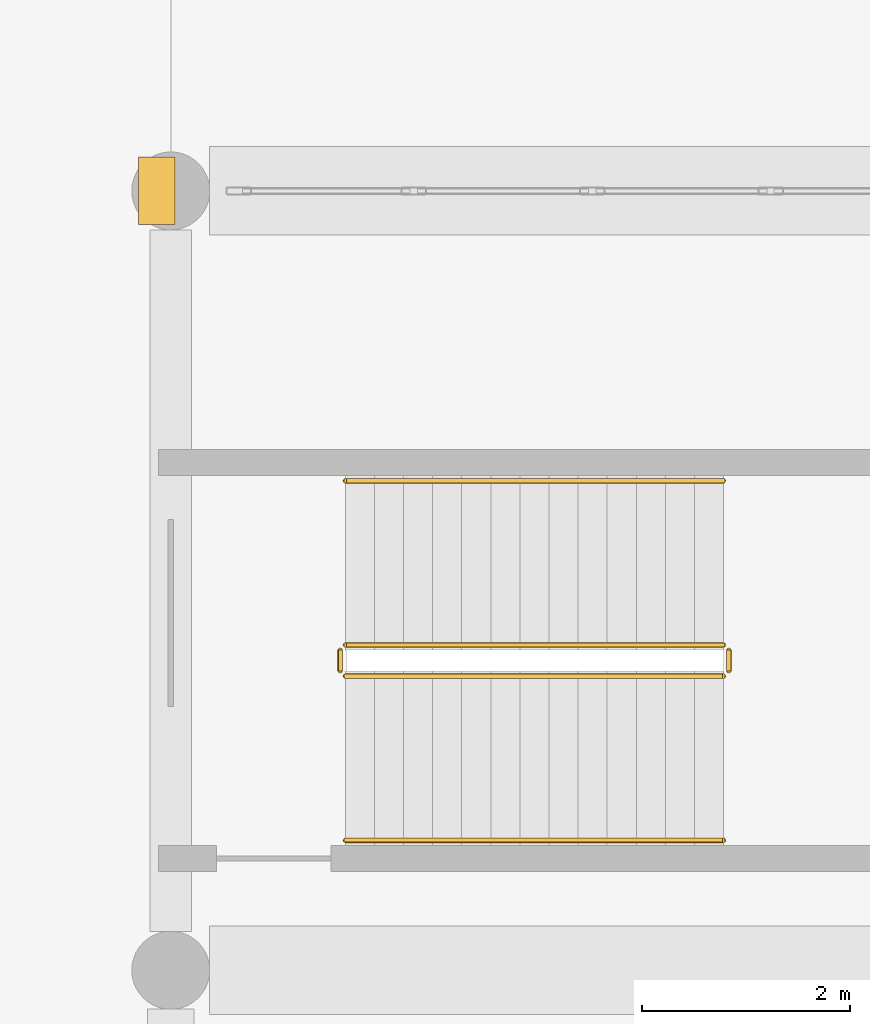
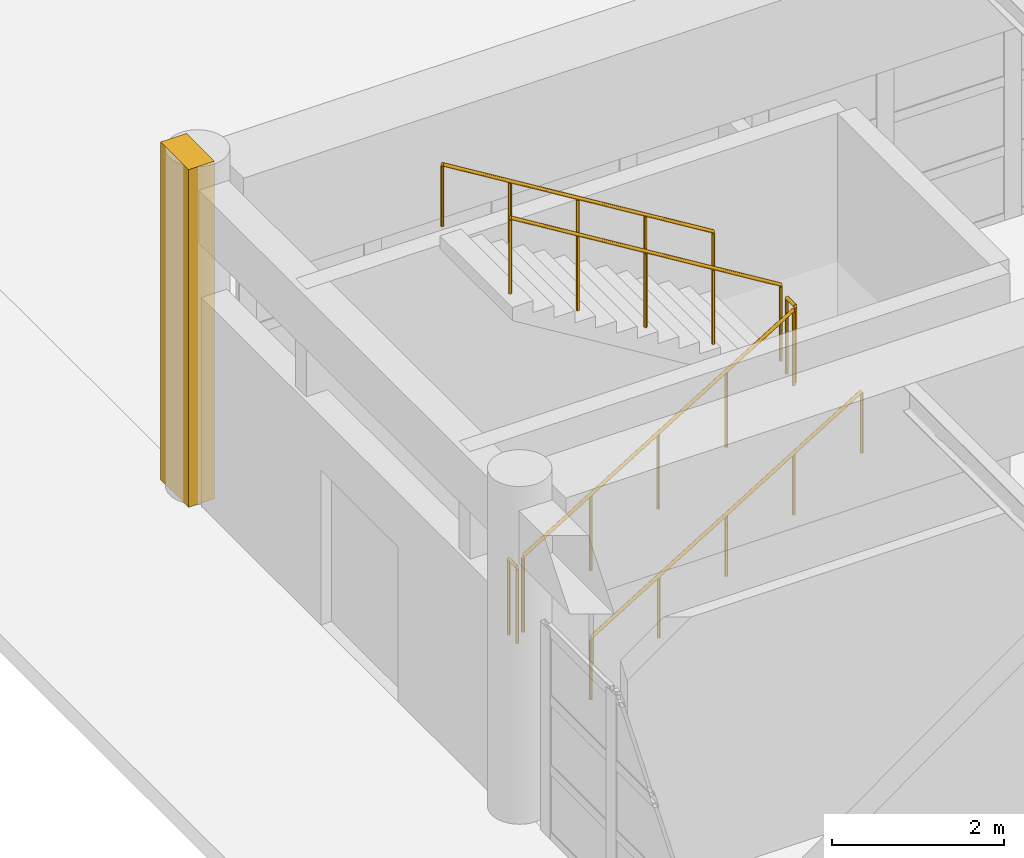
# One storey, part 107 of 122: 6 railings, 1 covering.
"""IFC4 building model written with IfcOpenShell, lengths in metres."""

import ifcopenshell
import ifcopenshell.guid

model = None  # the IFC model being written
_history = None  # IfcOwnerHistory: only IFC2X3 demands one
_inside = {}  # id of a spatial element -> (the spatial element, [elements in it])
_under = {}  # id of a project, library or spatial element -> (it, [spatial elements below it])
_declared = {}  # id of a project -> (the project, [libraries it declares])
_typed = {}  # id of a type object -> (the type object, [elements of that type])
_made_of = {}  # id of a material, layer set ... -> (it, [elements and type objects made of it])


def new_model(schema):
    """Start an empty IFC model of exactly this schema.

    Asked for "IFC4X3", IfcOpenShell would pick the latest addendum, in which some entities
    have other attributes; the version numbers below select the first issue.
    IFC2X3 requires an IfcOwnerHistory on every rooted entity: one is made here for all.
    """
    global model, _history
    if schema == "IFC4X3":
        model = ifcopenshell.file(schema_version=(4, 3, 0, 0))
    else:
        model = ifcopenshell.file(schema=schema)
    _inside.clear()
    _under.clear()
    _declared.clear()
    _typed.clear()
    _made_of.clear()
    _history = None
    if model.schema == "IFC2X3":
        org = make("IfcOrganization", Name="unknown")
        user = make(
            "IfcPersonAndOrganization",
            ThePerson=make("IfcPerson", FamilyName="unknown"),
            TheOrganization=org,
        )
        app = make(
            "IfcApplication",
            ApplicationDeveloper=org,
            Version="unknown",
            ApplicationFullName="unknown",
            ApplicationIdentifier="unknown",
        )
        _history = make(
            "IfcOwnerHistory",
            OwningUser=user,
            OwningApplication=app,
            ChangeAction="ADDED",
            CreationDate=0,
        )
    return model


def make(cls, **values):
    """One entity of the class cls with the attributes given. An attribute that is None is left unset."""
    return model.create_entity(
        cls, **{name: value for name, value in values.items() if value is not None}
    )


def rooted(cls, **values):
    """An entity with a GlobalId (a new one), such as an element, a storey or a relation."""
    return make(cls, GlobalId=ifcopenshell.guid.new(), OwnerHistory=_history, **values)


def si_unit(unit_type, name, prefix=None):
    """IfcSIUnit, for example si_unit("LENGTHUNIT", "METRE", prefix="MILLI")."""
    return make("IfcSIUnit", UnitType=unit_type, Prefix=prefix, Name=name)


def assignment(units):
    """IfcUnitAssignment: the units of a project."""
    return None if units is None else make("IfcUnitAssignment", Units=units)


def point(xyz):
    """IfcCartesianPoint."""
    return None if xyz is None else make("IfcCartesianPoint", Coordinates=xyz)


def direction(xyz):
    """IfcDirection."""
    return None if xyz is None else make("IfcDirection", DirectionRatios=xyz)


def frame(location, z_axis=None, x_axis=None):
    """IfcAxis2Placement3D, a coordinate frame: its origin and axes. An axis left out is left unset."""
    return make(
        "IfcAxis2Placement3D",
        Location=point(location),
        Axis=direction(z_axis),
        RefDirection=direction(x_axis),
    )


def frame_2d(location, x_axis=None):
    """IfcAxis2Placement2D, a coordinate frame in the plane: its origin and x axis."""
    return make(
        "IfcAxis2Placement2D", Location=point(location), RefDirection=direction(x_axis)
    )


def origin():
    """The frame at (0, 0, 0) with its axes left unset."""
    return frame((0.0, 0.0, 0.0))


def origin_2d():
    """The frame at (0, 0) in the plane with its x axis left unset."""
    return frame_2d((0.0, 0.0))


def place(relative_to, where):
    """IfcLocalPlacement: puts the frame where relative to a parent placement (None: the world)."""
    return make(
        "IfcLocalPlacement", PlacementRelTo=relative_to, RelativePlacement=where
    )


def context(
    kind, dimensions, precision=None, world=None, true_north=None, identifier=None
):
    """IfcGeometricRepresentationContext, for example the 3D "Model" context."""
    return make(
        "IfcGeometricRepresentationContext",
        ContextIdentifier=identifier,
        ContextType=kind,
        CoordinateSpaceDimension=dimensions,
        Precision=precision,
        WorldCoordinateSystem=world,
        TrueNorth=true_north,
    )


def subcontext(parent, identifier, kind, view, scale=None):
    """IfcGeometricRepresentationSubContext, for example "Body" below "Model"."""
    return make(
        "IfcGeometricRepresentationSubContext",
        ContextIdentifier=identifier,
        ContextType=kind,
        ParentContext=parent,
        TargetScale=scale,
        TargetView=view,
    )


def project(units=None, contexts=None):
    """IfcProject with its units and contexts."""
    return rooted(
        "IfcProject",
        Name="project",
        RepresentationContexts=contexts,
        UnitsInContext=assignment(units),
    )


def spatial(cls, under=None, at=None, **own):
    """A site, building, storey or space (cls), placed at a placement, below another one or the project."""
    s = rooted(cls, ObjectPlacement=at, **own)
    if under is not None:
        _under.setdefault(under.id(), (under, []))[1].append(s)
    return s


def profile(cls, at=None, kind="AREA", **sizes):
    """A parametric profile (cls). Its sizes go by their IFC names, for example OverallWidth=200.0."""
    return make(cls, ProfileType=kind, Position=at, **sizes)


def rectangle(**sizes):
    """IfcRectangleProfileDef."""
    return profile("IfcRectangleProfileDef", **sizes)


def circle(**sizes):
    """IfcCircleProfileDef."""
    return profile("IfcCircleProfileDef", **sizes)


def extrude(swept, where, along, depth):
    """IfcExtrudedAreaSolid: the profile swept, set in the frame where, extruded along a direction by depth."""
    return make(
        "IfcExtrudedAreaSolid",
        SweptArea=swept,
        Position=where,
        ExtrudedDirection=direction(along),
        Depth=depth,
    )


def shape(context_of_items, identifier, shape_type, items):
    """IfcShapeRepresentation: the items that make up one representation, for example the "Body"."""
    return make(
        "IfcShapeRepresentation",
        ContextOfItems=context_of_items,
        RepresentationIdentifier=identifier,
        RepresentationType=shape_type,
        Items=items,
    )


def material(Name=None, Category=None):
    """IfcMaterial."""
    return make("IfcMaterial", Name=Name, Category=Category)


def layer(
    of_material, thickness, ventilated=None, Name=None, Category=None, Priority=None
):
    """IfcMaterialLayer: one layer of a wall or slab, of a material (None: an air gap)."""
    return make(
        "IfcMaterialLayer",
        Material=of_material,
        LayerThickness=thickness,
        IsVentilated=ventilated,
        Name=Name,
        Category=Category,
        Priority=Priority,
    )


def layer_set(layers, Name=None):
    """IfcMaterialLayerSet."""
    return make("IfcMaterialLayerSet", MaterialLayers=layers, LayerSetName=Name)


def made_of(thing, what):
    """Note that an element or type object is made of a material, layer set ...; save() writes the relation."""
    if what is not None:
        _made_of.setdefault(what.id(), (what, []))[1].append(thing)
    return thing


def type_object(cls, material=None, **own):
    """A type object (cls), such as IfcWallType, which elements share."""
    return made_of(rooted(cls, **own), material)


def element(
    cls,
    number,
    at=None,
    inside=None,
    cuts=None,
    type_object=None,
    material=None,
    context=None,
    identifier="Body",
    shape_type=None,
    held_by="IfcProductDefinitionShape",
    body=None,
    shapes=None,
    **own,
):
    """One element of the class cls, such as IfcWall. Its Tag is "e" and its number.

    at: its placement. inside: the storey or other place that contains it. cuts: it is an
    opening in that element (IfcRelVoidsElement). A single representation is given by context,
    identifier, shape_type and body (its items); several are given by shapes. held_by: the class
    of the entity that holds the representations. save() writes the other relations.
    """
    e = rooted(cls, Tag="e%d" % number, ObjectPlacement=at, **own)
    if body is not None:
        shapes = [shape(context, identifier, shape_type, body)]
    if shapes is not None:
        e.Representation = make(held_by, Representations=shapes)
    if inside is not None:
        _inside.setdefault(inside.id(), (inside, []))[1].append(e)
    if cuts is not None:
        rooted(
            "IfcRelVoidsElement", RelatingBuildingElement=cuts, RelatedOpeningElement=e
        )
    if type_object is not None:
        _typed.setdefault(type_object.id(), (type_object, []))[1].append(e)
    return made_of(e, material)


def aggregate(whole, parts):
    """IfcRelAggregates: a whole, such as a stair, and the parts it consists of."""
    return rooted("IfcRelAggregates", RelatingObject=whole, RelatedObjects=parts)


def save(model, path):
    """Write the relations noted so far, then the file.

    IfcRelAggregates (storeys below a building ...), IfcRelContainedInSpatialStructure (elements
    in a storey), IfcRelDefinesByType, IfcRelAssociatesMaterial and IfcRelDeclares: one each for
    every whole, place, type object, material and project.
    """
    for whole, parts in _under.values():
        aggregate(whole, parts)
    for where, things in _inside.values():
        rooted(
            "IfcRelContainedInSpatialStructure",
            RelatedElements=things,
            RelatingStructure=where,
        )
    for kind, things in _typed.values():
        rooted("IfcRelDefinesByType", RelatedObjects=things, RelatingType=kind)
    for what, things in _made_of.values():
        rooted("IfcRelAssociatesMaterial", RelatedObjects=things, RelatingMaterial=what)
    for by, libraries in _declared.values():
        rooted("IfcRelDeclares", RelatingContext=by, RelatedDefinitions=libraries)
    model.write(path)


model = new_model("IFC4")

# Units and contexts
model_context = context("Model", 3, precision=1e-05, world=origin(), true_north=direction((0.0, 1.0)))
body_context = subcontext(model_context, "Body", "Model", "MODEL_VIEW")
ifc_project = project(units=[si_unit("LENGTHUNIT", "METRE"), si_unit("AREAUNIT", "SQUARE_METRE"), si_unit("VOLUMEUNIT", "CUBIC_METRE"), si_unit("PLANEANGLEUNIT", "RADIAN"), si_unit("MASSUNIT", "GRAM", prefix="KILO")], contexts=[model_context])

# Site, building, storey
site_placement = place(None, origin())
site = spatial("IfcSite", under=ifc_project, at=site_placement, CompositionType="ELEMENT")
building_placement = place(site_placement, origin())
building = spatial("IfcBuilding", under=site, at=building_placement, Name="Qasida Concert Hall", CompositionType="ELEMENT")
storey_placement = place(building_placement, origin())
storey = spatial("IfcBuildingStorey", under=building, at=storey_placement, Name="L00", CompositionType="ELEMENT", Elevation=0.0)

# Covering
ifc_material_1 = material(Name="Projecting fluted Lebanese limestone Art Deco pilaster", Category="masonry")
ifc_layer_1 = layer(ifc_material_1, 0.35009765625, Name="Projecting fluted Lebanese limestone Art Deco pilaster")
ifc_layer_set_1 = layer_set([ifc_layer_1], Name="Projecting fluted Lebanese limestone Art Deco pilaster")
covering_type = type_object("IfcCoveringType", Name="CV-PIL-650", PredefinedType="CLADDING", material=ifc_layer_set_1)
covering_placement = place(storey_placement, frame((-0.135009765625, 52.5, 0.0), z_axis=(0.0, 0.0, 1.0), x_axis=(1.0, 0.0, 0.0)))
element("IfcCovering", 1, at=covering_placement, inside=storey, type_object=covering_type, Name="L00 fluted limestone pilaster 0185", PredefinedType="CLADDING", context=body_context, shape_type="SweptSolid", body=[
    extrude(rectangle(XDim=0.35009765625, YDim=0.64990234375, at=origin_2d()), origin(), (0.0, 0.0, 1.0), 4.800048828125),
])

# Railings
ifc_material_2 = material(Name="Patinated architectural bronze and laminated glass infill", Category="glass")
ifc_layer_2 = layer(ifc_material_2, 0.080078125, Name="Patinated architectural bronze and laminated glass infill")
ifc_layer_set_2 = layer_set([ifc_layer_2], Name="Patinated architectural bronze and laminated glass infill")
railing_type_1 = type_object("IfcRailingType", Name="RL-GRD-1100", PredefinedType="GUARDRAIL", material=ifc_layer_set_2)
railing_1_placement = place(storey_placement, frame((1.679931640625, 47.830078125, 0.17138671875)))
element("IfcRailing", 2, at=railing_1_placement, inside=storey, type_object=railing_type_1, Name="L00 ST-04 stair guard 1", PredefinedType="GUARDRAIL", context=body_context, shape_type="SweptSolid", body=[
    extrude(circle(Radius=0.02392578125, at=origin_2d()), frame((0.0, 0.0, 1.076171875), z_axis=(0.852865859571, 0.0, 0.52213008492), x_axis=(0.0, 1.0, 0.0)), (0.0, 0.0, 1.0), 4.26806640625),
    extrude(circle(Radius=0.02099609375, at=origin_2d()), origin(), (0.0, 0.0, 1.0), 1.052001953125),
    extrude(circle(Radius=0.02099609375, at=origin_2d()), frame((0.91015625, 0.0, 0.55712890625)), (0.0, 0.0, 1.0), 1.052001953125),
    extrude(circle(Radius=0.02099609375, at=origin_2d()), frame((1.820068359375, 0.0, 1.1142578125)), (0.0, 0.0, 1.0), 1.052001953125),
    extrude(circle(Radius=0.02099609375, at=origin_2d()), frame((2.72998046875, 0.0, 1.67138671875)), (0.0, 0.0, 1.0), 1.052001953125),
    extrude(circle(Radius=0.02099609375, at=origin_2d()), frame((3.64013671875, 0.0, 2.228515625)), (0.0, 0.0, 1.0), 1.052001953125),
])
railing_2_placement = place(storey_placement, frame((5.3701171875, 47.8798828125, 2.39990234375)))
element("IfcRailing", 3, at=railing_2_placement, inside=storey, type_object=railing_type_1, Name="L00 ST-04 stair guard 2", PredefinedType="GUARDRAIL", context=body_context, shape_type="SweptSolid", body=[
    extrude(circle(Radius=0.02392578125, at=origin_2d()), frame((0.0, 0.0, 1.076171875), z_axis=(0.0, 1.0, 0.0), x_axis=(-1.0, 0.0, 0.0)), (0.0, 0.0, 1.0), 0.2001953125),
    extrude(circle(Radius=0.02099609375, at=origin_2d()), origin(), (0.0, 0.0, 1.0), 1.052001953125),
    extrude(circle(Radius=0.02099609375, at=origin_2d()), frame((0.0, 0.2001953125, 0.0)), (0.0, 0.0, 1.0), 1.052001953125),
])
railing_3_placement = place(storey_placement, frame((5.320068359375, 48.1298828125, 2.571533203125)))
element("IfcRailing", 4, at=railing_3_placement, inside=storey, type_object=railing_type_1, Name="L00 ST-04 stair guard 3", PredefinedType="GUARDRAIL", context=body_context, shape_type="SweptSolid", body=[
    extrude(circle(Radius=0.02392578125, at=origin_2d()), frame((0.0, 0.0, 1.076171875), z_axis=(-0.852865859571, 0.0, 0.52213008492), x_axis=(0.0, -1.0, 0.0)), (0.0, 0.0, 1.0), 4.26806640625),
    extrude(circle(Radius=0.02099609375, at=origin_2d()), origin(), (0.0, 0.0, 1.0), 1.052001953125),
    extrude(circle(Radius=0.02099609375, at=origin_2d()), frame((-0.91015625, 0.0, 0.55712890625)), (0.0, 0.0, 1.0), 1.052001953125),
    extrude(circle(Radius=0.02099609375, at=origin_2d()), frame((-1.820068359375, 0.0, 1.1142578125)), (0.0, 0.0, 1.0), 1.052001953125),
    extrude(circle(Radius=0.02099609375, at=origin_2d()), frame((-2.72998046875, 0.0, 1.67138671875)), (0.0, 0.0, 1.0), 1.052001953125),
    extrude(circle(Radius=0.02099609375, at=origin_2d()), frame((-3.64013671875, 0.0, 2.228515625)), (0.0, 0.0, 1.0), 1.052001953125),
])
railing_4_placement = place(storey_placement, frame((1.6298828125, 47.8798828125, 0.0)))
element("IfcRailing", 5, at=railing_4_placement, inside=storey, type_object=railing_type_1, Name="L00 ST-04 stair guard 4", PredefinedType="GUARDRAIL", context=body_context, shape_type="SweptSolid", body=[
    extrude(circle(Radius=0.02392578125, at=origin_2d()), frame((0.0, 0.0, 1.076171875), z_axis=(0.0, 1.0, 0.0), x_axis=(-1.0, 0.0, 0.0)), (0.0, 0.0, 1.0), 0.2001953125),
    extrude(circle(Radius=0.02099609375, at=origin_2d()), origin(), (0.0, 0.0, 1.0), 1.052001953125),
    extrude(circle(Radius=0.02099609375, at=origin_2d()), frame((0.0, 0.2001953125, 0.0)), (0.0, 0.0, 1.0), 1.052001953125),
])
ifc_material_3 = material(Name="Patinated tubular architectural bronze", Category="steel")
ifc_layer_3 = layer(ifc_material_3, 0.050048828125, Name="Patinated tubular architectural bronze")
ifc_layer_set_3 = layer_set([ifc_layer_3], Name="Patinated tubular architectural bronze")
railing_type_2 = type_object("IfcRailingType", Name="RL-HND-900", PredefinedType="HANDRAIL", material=ifc_layer_set_3)
railing_5_placement = place(storey_placement, frame((1.679931640625, 46.25, 0.17138671875)))
element("IfcRailing", 6, at=railing_5_placement, inside=storey, type_object=railing_type_2, Name="L00 ST-04 stair handrail 1", PredefinedType="HANDRAIL", context=body_context, shape_type="SweptSolid", body=[
    extrude(circle(Radius=0.02392578125, at=origin_2d()), frame((0.0, 0.0, 0.8759765625), z_axis=(0.852865859571, 0.0, 0.52213008492), x_axis=(0.0, 1.0, 0.0)), (0.0, 0.0, 1.0), 4.26806640625),
    extrude(circle(Radius=0.02099609375, at=origin_2d()), origin(), (0.0, 0.0, 1.0), 0.851806640625),
    extrude(circle(Radius=0.02099609375, at=origin_2d()), frame((0.91015625, 0.0, 0.55712890625)), (0.0, 0.0, 1.0), 0.851806640625),
    extrude(circle(Radius=0.02099609375, at=origin_2d()), frame((1.820068359375, 0.0, 1.1142578125)), (0.0, 0.0, 1.0), 0.851806640625),
    extrude(circle(Radius=0.02099609375, at=origin_2d()), frame((2.72998046875, 0.0, 1.67138671875)), (0.0, 0.0, 1.0), 0.851806640625),
    extrude(circle(Radius=0.02099609375, at=origin_2d()), frame((3.64013671875, 0.0, 2.228515625)), (0.0, 0.0, 1.0), 0.851806640625),
])
railing_6_placement = place(storey_placement, frame((5.320068359375, 49.7099609375, 2.571533203125)))
element("IfcRailing", 7, at=railing_6_placement, inside=storey, type_object=railing_type_2, Name="L00 ST-04 stair handrail 2", PredefinedType="HANDRAIL", context=body_context, shape_type="SweptSolid", body=[
    extrude(circle(Radius=0.02392578125, at=origin_2d()), frame((0.0, 0.0, 0.8759765625), z_axis=(-0.852865859571, 0.0, 0.52213008492), x_axis=(0.0, -1.0, 0.0)), (0.0, 0.0, 1.0), 4.26806640625),
    extrude(circle(Radius=0.02099609375, at=origin_2d()), origin(), (0.0, 0.0, 1.0), 0.851806640625),
    extrude(circle(Radius=0.02099609375, at=origin_2d()), frame((-0.91015625, 0.0, 0.55712890625)), (0.0, 0.0, 1.0), 0.851806640625),
    extrude(circle(Radius=0.02099609375, at=origin_2d()), frame((-1.820068359375, 0.0, 1.1142578125)), (0.0, 0.0, 1.0), 0.851806640625),
    extrude(circle(Radius=0.02099609375, at=origin_2d()), frame((-2.72998046875, 0.0, 1.67138671875)), (0.0, 0.0, 1.0), 0.851806640625),
    extrude(circle(Radius=0.02099609375, at=origin_2d()), frame((-3.64013671875, 0.0, 2.228515625)), (0.0, 0.0, 1.0), 0.851806640625),
])

save(model, "model.ifc")
